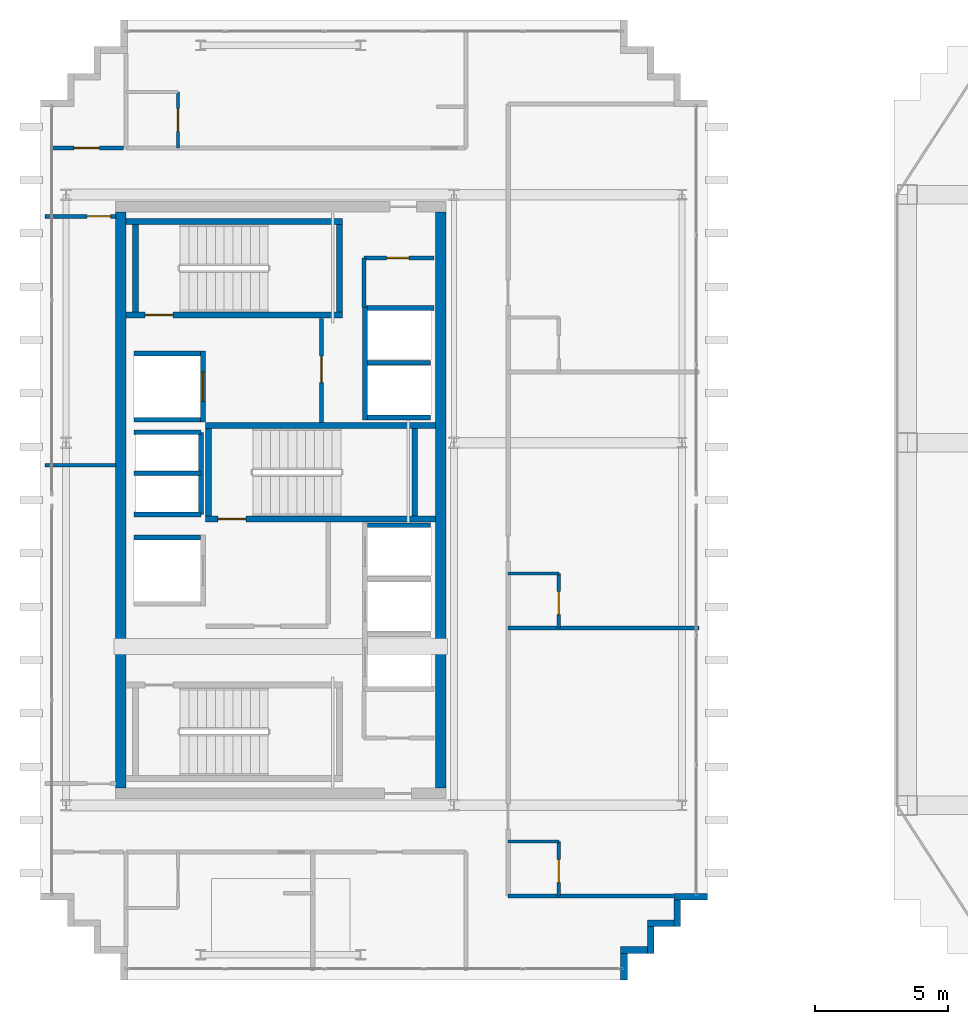
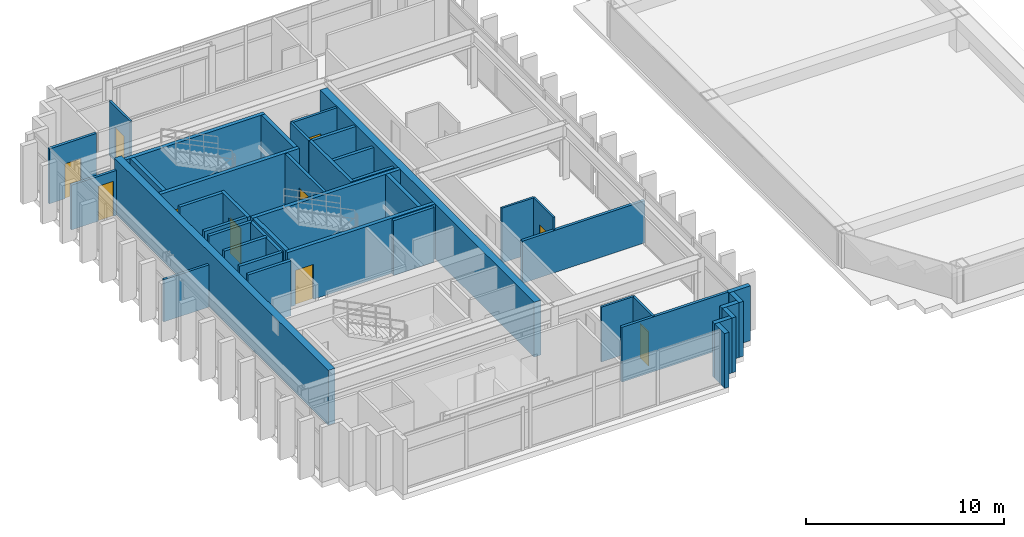
# One storey, part 15 of 17: 42 walls, 10 doors, 10 openings.
"""IFC4 building model written with IfcOpenShell, lengths in metres."""

from ifc_helpers import new_model, si_unit, direction, frame, frame_2d, origin, place, context, subcontext, project, spatial, rectangle, extrude, source, transform, mapped, material, layer, layer_set, type_object, element, fill, save


model = new_model("IFC4")

# Units and contexts
model_context = context("Model", 3, precision=1e-05, world=origin(), true_north=direction((0.0, 1.0)))
body_context = subcontext(model_context, "Body", "Model", "MODEL_VIEW")
ifc_project = project(units=[si_unit("LENGTHUNIT", "METRE"), si_unit("AREAUNIT", "SQUARE_METRE"), si_unit("VOLUMEUNIT", "CUBIC_METRE"), si_unit("PLANEANGLEUNIT", "RADIAN"), si_unit("MASSUNIT", "GRAM", prefix="KILO")], contexts=[model_context])

# Site, building, storey
site_placement = place(None, origin())
site = spatial("IfcSite", under=ifc_project, at=site_placement, CompositionType="ELEMENT")
building_placement = place(site_placement, origin())
building = spatial("IfcBuilding", under=site, at=building_placement, Name="Ocotamira Hotel", CompositionType="ELEMENT")
storey_placement = place(building_placement, frame((0.0, 0.0, 272.39990234375)))
storey = spatial("IfcBuildingStorey", under=building, at=storey_placement, Name="L69", CompositionType="ELEMENT", Elevation=272.39990234375)

# Walls
ifc_material_1 = material(Name="Concrete C50/60", Category="concrete")
ifc_layer_1 = layer(ifc_material_1, 0.39990234375)
ifc_layer_set_1 = layer_set([ifc_layer_1], Name="Concrete C50/60")
wall_type_1 = type_object("IfcWallType", Name="WL-CORE-400", PredefinedType="SHEAR", material=ifc_layer_set_1)
for number, where, z_axis, x_axis, name in (
    (1, (11.0, 15.199951171875, 0.0), (0.0, 0.0, 1.0), (0.0, 1.0, 0.0), "L69 Shear Core Wall WCORE-W"),
    (2, (23.0, 15.199951171875, 0.0), (0.0, 0.0, 1.0), (0.0, 1.0, 0.0), "L69 Shear Core Wall WCORE-E"),
):
    element("IfcWall", number, at=place(storey_placement, frame(where, z_axis=z_axis, x_axis=x_axis)), inside=storey, type_object=wall_type_1, Name=name, PredefinedType="SHEAR", context=body_context, shape_type="SweptSolid", body=[
        extrude(rectangle(XDim=21.60009765625, YDim=0.39990234375, at=frame_2d((10.800048828125, 0.0))), origin(), (0.0, 0.0, 1.0), 3.380126953125),
    ])
ifc_material_2 = material(Name="Precast concrete C45/55", Category="concrete")
ifc_layer_2 = layer(ifc_material_2, 0.25)
ifc_layer_set_2 = layer_set([ifc_layer_2], Name="Precast concrete C45/55")
wall_type_2 = type_object("IfcWallType", Name="WL-EXT-SER-250", PredefinedType="SOLIDWALL", material=ifc_layer_set_2)
for number, where, z_axis, x_axis, name in (
    (3, (29.875, 8.0, 0.0), (0.0, 0.0, 1.0), (0.0, 1.0, 0.0), "L69 Serrated Corner Wall 01"),
    (4, (29.75, 9.125, 0.0), (0.0, 0.0, 1.0), (1.0, 0.0, 0.0), "L69 Serrated Corner Wall 02"),
    (5, (30.875, 9.0, 0.0), (0.0, 0.0, 1.0), (0.0, 1.0, 0.0), "L69 Serrated Corner Wall 03"),
    (6, (30.75, 10.125, 0.0), (0.0, 0.0, 1.0), (1.0, 0.0, 0.0), "L69 Serrated Corner Wall 04"),
    (7, (31.875, 10.0, 0.0), (0.0, 0.0, 1.0), (0.0, 1.0, 0.0), "L69 Serrated Corner Wall 05"),
):
    element("IfcWall", number, at=place(storey_placement, frame(where, z_axis=z_axis, x_axis=x_axis)), inside=storey, type_object=wall_type_2, Name=name, PredefinedType="SOLIDWALL", context=body_context, shape_type="SweptSolid", body=[
        extrude(rectangle(XDim=1.0, YDim=0.25, at=frame_2d((0.5, 0.0))), origin(), (0.0, 0.0, 1.0), 3.380126953125),
    ])
wall_1_placement = place(storey_placement, frame((31.75, 11.125, 0.0), z_axis=(0.0, 0.0, 1.0), x_axis=(1.0, 0.0, 0.0)))
element("IfcWall", 8, at=wall_1_placement, inside=storey, type_object=wall_type_2, Name="L69 Serrated Corner Wall 06", PredefinedType="SOLIDWALL", context=body_context, shape_type="SweptSolid", body=[
    extrude(rectangle(XDim=1.25, YDim=0.25, at=frame_2d((0.625, 0.0))), origin(), (0.0, 0.0, 1.0), 3.380126953125),
])

# Wall, opening, door
ifc_material_3 = material(Name="Acoustic double-layer fire gypsum board partition", Category="gypsum")
ifc_layer_3 = layer(ifc_material_3, 0.159912109375)
ifc_layer_set_3 = layer_set([ifc_layer_3], Name="Acoustic double-layer fire gypsum board partition")
wall_type_3 = type_object("IfcWallType", Name="WL-FIRE-160", PredefinedType="PARTITIONING", material=ifc_layer_set_3)
wall_2_placement = place(storey_placement, frame((18.530029296875, 28.89990234375, 0.0), z_axis=(0.0, 0.0, 1.0), x_axis=(0.0, 1.0, 0.0)))
wall_2 = element("IfcWall", 9, at=wall_2_placement, inside=storey, type_object=wall_type_3, Name="L69 Interior Wall PW-L69-FSAE2-E", PredefinedType="PARTITIONING", context=body_context, shape_type="SweptSolid", body=[
    extrude(rectangle(XDim=3.900146484375, YDim=0.159912109375, at=frame_2d((1.9501953125, 0.0))), origin(), (0.0, 0.0, 1.0), 3.380126953125),
])
opening_1_placement = place(wall_2_placement, frame((1.5, 0.0, 0.0)))
opening_1 = element("IfcOpeningElement", 10, at=opening_1_placement, cuts=wall_2, Name="Opening D-FR2", PredefinedType="OPENING", context=body_context, shape_type="SweptSolid", body=[
    extrude(rectangle(XDim=1.0, YDim=2.14990234375, at=frame_2d((0.5, 1.074951171875))), frame((0.0, 0.08984375, 0.0), z_axis=(0.0, -1.0, 0.0), x_axis=(1.0, 0.0, 0.0)), (0.0, 0.0, 1.0), 0.179931640625),
])
ifc_material_4 = material(Name="Fire-rated acoustic timber-veneer door", Category="wood")
door_type_1 = type_object("IfcDoorType", Name="DR-FIRE-1000", OperationType="NOTDEFINED", PredefinedType="DOOR", material=ifc_material_4)
shared_shape_1 = source(origin(), body_context, "Body", "SweptSolid", [
    extrude(rectangle(XDim=1.0, YDim=2.14990234375, at=frame_2d((0.5, 1.074951171875))), frame((0.0, 0.02490234375, 0.0), z_axis=(0.0, -1.0, 0.0), x_axis=(1.0, 0.0, 0.0)), (0.0, 0.0, 1.0), 0.050048828125),
])
door_1_placement = place(opening_1_placement, origin())
door_1 = element("IfcDoor", 11, at=door_1_placement, inside=storey, type_object=door_type_1, Name="L69 Door ID-L69-FSAE2-D [ID-L69-FSAE2-D]", OperationType="SINGLE_SWING_RIGHT", OverallHeight=2.14990234375, OverallWidth=1.0, PredefinedType="DOOR", context=body_context, shape_type="MappedRepresentation", body=[
    mapped(shared_shape_1, transform((0.0, 0.0, 0.0), scale=1.0)),
])
fill(opening_1, door_1)

wall_3_placement = place(storey_placement, frame((8.35009765625, 39.199951171875, 0.0), z_axis=(0.0, 0.0, 1.0), x_axis=(1.0, 0.0, 0.0)))
wall_3 = element("IfcWall", 12, at=wall_3_placement, inside=storey, type_object=wall_type_3, Name="L69 Interior Wall PW-L69-WPCNW0-CW", PredefinedType="PARTITIONING", context=body_context, shape_type="SweptSolid", body=[
    extrude(rectangle(XDim=2.75, YDim=0.159912109375, at=frame_2d((1.375, 0.0))), origin(), (0.0, 0.0, 1.0), 3.380126953125),
])
opening_2_placement = place(wall_3_placement, frame((0.89501953125, 0.0, 0.0)))
opening_2 = element("IfcOpeningElement", 13, at=opening_2_placement, cuts=wall_3, Name="Opening D-SV4", PredefinedType="OPENING", context=body_context, shape_type="SweptSolid", body=[
    extrude(rectangle(XDim=0.9599609375, YDim=2.14990234375, at=frame_2d((0.47998046875, 1.074951171875))), frame((0.0, 0.08984375, 0.0), z_axis=(0.0, -1.0, 0.0), x_axis=(1.0, 0.0, 0.0)), (0.0, 0.0, 1.0), 0.179931640625),
])
ifc_material_5 = material(Name="Fire-rated accessible walnut salon door", Category="wood")
door_type_2 = type_object("IfcDoorType", Name="DR-SERV-960", OperationType="NOTDEFINED", PredefinedType="DOOR", material=ifc_material_5)
shared_shape_2 = source(origin(), body_context, "Body", "SweptSolid", [
    extrude(rectangle(XDim=0.9599609375, YDim=2.14990234375, at=frame_2d((0.47998046875, 1.074951171875))), frame((0.0, 0.02490234375, 0.0), z_axis=(0.0, -1.0, 0.0), x_axis=(1.0, 0.0, 0.0)), (0.0, 0.0, 1.0), 0.050048828125),
])
door_2_placement = place(opening_2_placement, origin())
door_2 = element("IfcDoor", 14, at=door_2_placement, inside=storey, type_object=door_type_2, Name="L69 Door ID-L69-WPCNW0-CD [ID-L69-WPCNW0-CD]", OperationType="SINGLE_SWING_LEFT", OverallHeight=2.14990234375, OverallWidth=0.9599609375, PredefinedType="DOOR", context=body_context, shape_type="MappedRepresentation", body=[
    mapped(shared_shape_2, transform((0.0, 0.0, 0.0), scale=1.0)),
])
fill(opening_2, door_2)

ifc_material_6 = material(Name="Moisture-resistant en-suite tile and gypsum partition", Category="gypsum")
ifc_layer_4 = layer(ifc_material_6, 0.1201171875)
ifc_layer_set_4 = layer_set([ifc_layer_4], Name="Moisture-resistant en-suite tile and gypsum partition")
wall_type_4 = type_object("IfcWallType", Name="WL-PART-120", PredefinedType="PARTITIONING", material=ifc_layer_set_4)
wall_4_placement = place(storey_placement, frame((13.14990234375, 39.199951171875, 0.0), z_axis=(0.0, 0.0, 1.0), x_axis=(0.0, 1.0, 0.0)))
wall_4 = element("IfcWall", 15, at=wall_4_placement, inside=storey, type_object=wall_type_4, Name="L69 Interior Wall PW-L69-WP0N-BAE1", PredefinedType="PARTITIONING", context=body_context, shape_type="SweptSolid", body=[
    extrude(rectangle(XDim=2.10009765625, YDim=0.1201171875, at=frame_2d((1.050048828125, 0.0))), origin(), (0.0, 0.0, 1.0), 3.380126953125),
])
opening_3_placement = place(wall_4_placement, frame((0.6201171875, 0.0, 0.0)))
opening_3 = element("IfcOpeningElement", 16, at=opening_3_placement, cuts=wall_4, Name="Opening D-BA1", PredefinedType="OPENING", context=body_context, shape_type="SweptSolid", body=[
    extrude(rectangle(XDim=0.860107421875, YDim=2.10009765625, at=frame_2d((0.43017578125, 1.050048828125))), frame((0.0, 0.070068359375, 0.0), z_axis=(0.0, -1.0, 0.0), x_axis=(1.0, 0.0, 0.0)), (0.0, 0.0, 1.0), 0.14013671875),
])
ifc_material_7 = material(Name="Moisture-sealed en-suite timber door", Category="wood")
door_type_3 = type_object("IfcDoorType", Name="DR-BATH-860", OperationType="NOTDEFINED", PredefinedType="DOOR", material=ifc_material_7)
shared_shape_3 = source(origin(), body_context, "Body", "SweptSolid", [
    extrude(rectangle(XDim=0.860107421875, YDim=2.10009765625, at=frame_2d((0.43017578125, 1.050048828125))), frame((0.0, 0.02490234375, 0.0), z_axis=(0.0, -1.0, 0.0), x_axis=(1.0, 0.0, 0.0)), (0.0, 0.0, 1.0), 0.050048828125),
])
door_3_placement = place(opening_3_placement, origin())
door_3 = element("IfcDoor", 17, at=door_3_placement, inside=storey, type_object=door_type_3, Name="L69 Door ID-L69-WP0N-BAD1 [ID-L69-WP0N-BAD1]", OperationType="SINGLE_SWING_RIGHT", OverallHeight=2.10009765625, OverallWidth=0.860107421875, PredefinedType="DOOR", context=body_context, shape_type="MappedRepresentation", body=[
    mapped(shared_shape_3, transform((0.0, 0.0, 0.0), scale=1.0)),
])
fill(opening_3, door_3)

wall_5_placement = place(storey_placement, frame((27.429931640625, 11.14990234375, 0.0), z_axis=(0.0, 0.0, 1.0), x_axis=(0.0, 1.0, 0.0)))
wall_5 = element("IfcWall", 18, at=wall_5_placement, inside=storey, type_object=wall_type_4, Name="L69 Interior Wall PW-L69-WP-EBE1", PredefinedType="PARTITIONING", context=body_context, shape_type="SweptSolid", body=[
    extrude(rectangle(XDim=2.0400390625, YDim=0.1201171875, at=frame_2d((1.02001953125, 0.0))), origin(), (0.0, 0.0, 1.0), 3.380126953125),
])
opening_4_placement = place(wall_5_placement, frame((0.5, 0.0, 0.0)))
opening_4 = element("IfcOpeningElement", 19, at=opening_4_placement, cuts=wall_5, Name="Opening D-BA1", PredefinedType="OPENING", context=body_context, shape_type="SweptSolid", body=[
    extrude(rectangle(XDim=0.860107421875, YDim=2.10009765625, at=frame_2d((0.43017578125, 1.050048828125))), frame((0.0, 0.070068359375, 0.0), z_axis=(0.0, -1.0, 0.0), x_axis=(1.0, 0.0, 0.0)), (0.0, 0.0, 1.0), 0.14013671875),
])
door_4_placement = place(opening_4_placement, origin())
door_4 = element("IfcDoor", 20, at=door_4_placement, inside=storey, type_object=door_type_3, Name="L69 Door ID-L69-WP-EBD1 [ID-L69-WP-EBD1]", OperationType="SINGLE_SWING_LEFT", OverallHeight=2.10009765625, OverallWidth=0.860107421875, PredefinedType="DOOR", context=body_context, shape_type="MappedRepresentation", body=[
    mapped(shared_shape_3, transform((0.0, 0.0, 0.0), scale=1.0)),
])
fill(opening_4, door_4)

# Wall
wall_6_placement = place(storey_placement, frame((25.530029296875, 13.18994140625, 0.0), z_axis=(0.0, 0.0, 1.0), x_axis=(1.0, 0.0, 0.0)))
element("IfcWall", 21, at=wall_6_placement, inside=storey, type_object=wall_type_4, Name="L69 Interior Wall PW-L69-WP-EBN1", PredefinedType="PARTITIONING", context=body_context, shape_type="SweptSolid", body=[
    extrude(rectangle(XDim=1.89990234375, YDim=0.1201171875, at=frame_2d((0.949951171875, 0.0))), origin(), (0.0, 0.0, 1.0), 3.380126953125),
])

# Wall, opening, door
wall_7_placement = place(storey_placement, frame((27.429931640625, 21.199951171875, 0.0), z_axis=(0.0, 0.0, 1.0), x_axis=(0.0, 1.0, 0.0)))
wall_7 = element("IfcWall", 22, at=wall_7_placement, inside=storey, type_object=wall_type_4, Name="L69 Interior Wall PW-L69-WP-EBE2", PredefinedType="PARTITIONING", context=body_context, shape_type="SweptSolid", body=[
    extrude(rectangle(XDim=2.0400390625, YDim=0.1201171875, at=frame_2d((1.02001953125, 0.0))), origin(), (0.0, 0.0, 1.0), 3.380126953125),
])
opening_5_placement = place(wall_7_placement, frame((0.5, 0.0, 0.0)))
opening_5 = element("IfcOpeningElement", 23, at=opening_5_placement, cuts=wall_7, Name="Opening D-BA1", PredefinedType="OPENING", context=body_context, shape_type="SweptSolid", body=[
    extrude(rectangle(XDim=0.860107421875, YDim=2.10009765625, at=frame_2d((0.43017578125, 1.050048828125))), frame((0.0, 0.070068359375, 0.0), z_axis=(0.0, -1.0, 0.0), x_axis=(1.0, 0.0, 0.0)), (0.0, 0.0, 1.0), 0.14013671875),
])
door_5_placement = place(opening_5_placement, origin())
door_5 = element("IfcDoor", 24, at=door_5_placement, inside=storey, type_object=door_type_3, Name="L69 Door ID-L69-WP-EBD2 [ID-L69-WP-EBD2]", OperationType="SINGLE_SWING_LEFT", OverallHeight=2.10009765625, OverallWidth=0.860107421875, PredefinedType="DOOR", context=body_context, shape_type="MappedRepresentation", body=[
    mapped(shared_shape_3, transform((0.0, 0.0, 0.0), scale=1.0)),
])
fill(opening_5, door_5)

# Walls
wall_8_placement = place(storey_placement, frame((25.530029296875, 23.239990234375, 0.0), z_axis=(0.0, 0.0, 1.0), x_axis=(1.0, 0.0, 0.0)))
element("IfcWall", 25, at=wall_8_placement, inside=storey, type_object=wall_type_4, Name="L69 Interior Wall PW-L69-WP-EBN2", PredefinedType="PARTITIONING", context=body_context, shape_type="SweptSolid", body=[
    extrude(rectangle(XDim=1.89990234375, YDim=0.1201171875, at=frame_2d((0.949951171875, 0.0))), origin(), (0.0, 0.0, 1.0), 3.380126953125),
])
ifc_material_8 = material(Name="Acoustic hospitality gypsum board partition", Category="gypsum")
ifc_layer_5 = layer(ifc_material_8, 0.14208984375)
ifc_layer_set_5 = layer_set([ifc_layer_5], Name="Acoustic hospitality gypsum board partition")
wall_type_5 = type_object("IfcWallType", Name="WL-PART-142", PredefinedType="PARTITIONING", material=ifc_layer_set_5)
wall_9_placement = place(storey_placement, frame((20.1201171875, 33.219970703125, 0.0), z_axis=(0.0, 0.0, 1.0), x_axis=(0.0, 1.0, 0.0)))
element("IfcWall", 26, at=wall_9_placement, inside=storey, type_object=wall_type_5, Name="L69 Interior Wall PW-L69-WC-NE-W2", PredefinedType="PARTITIONING", context=body_context, shape_type="SweptSolid", body=[
    extrude(rectangle(XDim=1.860107421875, YDim=0.14208984375, at=frame_2d((0.93017578125, 0.0))), origin(), (0.0, 0.0, 1.0), 3.380126953125),
])

# Wall, opening, door
wall_10_placement = place(storey_placement, frame((20.1201171875, 35.080078125, 0.0), z_axis=(0.0, 0.0, 1.0), x_axis=(1.0, 0.0, 0.0)))
wall_10 = element("IfcWall", 27, at=wall_10_placement, inside=storey, type_object=wall_type_5, Name="L69 Interior Wall PW-L69-WC-NE-N2", PredefinedType="PARTITIONING", context=body_context, shape_type="SweptSolid", body=[
    extrude(rectangle(XDim=2.6298828125, YDim=0.14208984375, at=frame_2d((1.31494140625, 0.0))), origin(), (0.0, 0.0, 1.0), 3.380126953125),
])
opening_6_placement = place(wall_10_placement, frame((0.85009765625, 0.0, 0.0)))
opening_6 = element("IfcOpeningElement", 28, at=opening_6_placement, cuts=wall_10, Name="Opening D-SV1", PredefinedType="OPENING", context=body_context, shape_type="SweptSolid", body=[
    extrude(rectangle(XDim=0.840087890625, YDim=2.10009765625, at=frame_2d((0.419921875, 1.050048828125))), frame((0.0, 0.0810546875, 0.0), z_axis=(0.0, -1.0, 0.0), x_axis=(1.0, 0.0, 0.0)), (0.0, 0.0, 1.0), 0.162109375),
])
ifc_material_9 = material(Name="Fire-rated painted steel service door", Category="steel")
door_type_4 = type_object("IfcDoorType", Name="DR-SERV-840", OperationType="NOTDEFINED", PredefinedType="DOOR", material=ifc_material_9)
shared_shape_4 = source(origin(), body_context, "Body", "SweptSolid", [
    extrude(rectangle(XDim=0.840087890625, YDim=2.10009765625, at=frame_2d((0.419921875, 1.050048828125))), frame((0.0, 0.02490234375, 0.0), z_axis=(0.0, -1.0, 0.0), x_axis=(1.0, 0.0, 0.0)), (0.0, 0.0, 1.0), 0.050048828125),
])
door_6_placement = place(opening_6_placement, origin())
door_6 = element("IfcDoor", 29, at=door_6_placement, inside=storey, type_object=door_type_4, Name="L69 Door ID-L69-WC-NE-D2 [ID-L69-WC-NE-D2]", OperationType="SINGLE_SWING_RIGHT", OverallHeight=2.10009765625, OverallWidth=0.840087890625, PredefinedType="DOOR", context=body_context, shape_type="MappedRepresentation", body=[
    mapped(shared_shape_4, transform((0.0, 0.0, 0.0), scale=1.0)),
])
fill(opening_6, door_6)

# Wall
wall_11_placement = place(storey_placement, frame((8.159912109375, 27.300048828125, 0.0), z_axis=(0.0, 0.0, 1.0), x_axis=(1.0, 0.0, 0.0)))
element("IfcWall", 30, at=wall_11_placement, inside=storey, type_object=wall_type_5, Name="L69 Interior Wall PW-L69-WP0W-DV1", PredefinedType="PARTITIONING", context=body_context, shape_type="SweptSolid", body=[
    extrude(rectangle(XDim=2.66015625, YDim=0.14208984375, at=frame_2d((1.330078125, 0.0))), origin(), (0.0, 0.0, 1.0), 2.60107421875),
])

# Wall, opening, door
ifc_layer_6 = layer(ifc_material_8, 0.14990234375)
ifc_layer_set_6 = layer_set([ifc_layer_6], Name="Acoustic hospitality gypsum board partition")
wall_type_6 = type_object("IfcWallType", Name="WL-PART-150", PredefinedType="PARTITIONING", material=ifc_layer_set_6)
wall_12_placement = place(storey_placement, frame((8.159912109375, 36.639892578125, 0.0), z_axis=(0.0, 0.0, 1.0), x_axis=(1.0, 0.0, 0.0)))
wall_12 = element("IfcWall", 31, at=wall_12_placement, inside=storey, type_object=wall_type_6, Name="L69 Interior Wall PW-L69-WP0W-WN", PredefinedType="PARTITIONING", context=body_context, shape_type="SweptSolid", body=[
    extrude(rectangle(XDim=2.66015625, YDim=0.14990234375, at=frame_2d((1.330078125, 0.0))), origin(), (0.0, 0.0, 1.0), 2.76318359375),
])
opening_7_placement = place(wall_12_placement, frame((1.580078125, 0.0, 0.0)))
opening_7 = element("IfcOpeningElement", 32, at=opening_7_placement, cuts=wall_12, Name="Opening D-SV2", PredefinedType="OPENING", context=body_context, shape_type="SweptSolid", body=[
    extrude(rectangle(XDim=0.8798828125, YDim=2.14990234375, at=frame_2d((0.43994140625, 1.074951171875))), frame((0.0, 0.0849609375, 0.0), z_axis=(0.0, -1.0, 0.0), x_axis=(1.0, 0.0, 0.0)), (0.0, 0.0, 1.0), 0.169921875),
])
door_type_5 = type_object("IfcDoorType", Name="DR-SERV-880", OperationType="NOTDEFINED", PredefinedType="DOOR", material=ifc_material_9)
shared_shape_5 = source(origin(), body_context, "Body", "SweptSolid", [
    extrude(rectangle(XDim=0.8798828125, YDim=2.14990234375, at=frame_2d((0.43994140625, 1.074951171875))), frame((0.0, 0.02490234375, 0.0), z_axis=(0.0, -1.0, 0.0), x_axis=(1.0, 0.0, 0.0)), (0.0, 0.0, 1.0), 0.050048828125),
])
door_7_placement = place(opening_7_placement, origin())
door_7 = element("IfcDoor", 33, at=door_7_placement, inside=storey, type_object=door_type_5, Name="L69 Door ID-L69-WP0W-DN [ID-L69-WP0W-DN]", OperationType="SINGLE_SWING_RIGHT", OverallHeight=2.14990234375, OverallWidth=0.8798828125, PredefinedType="DOOR", context=body_context, shape_type="MappedRepresentation", body=[
    mapped(shared_shape_5, transform((0.0, 0.0, 0.0), scale=1.0)),
])
fill(opening_7, door_7)

# Walls
ifc_material_10 = material(Name="Acoustic double-stud hospitality gypsum partition", Category="gypsum")
ifc_layer_7 = layer(ifc_material_10, 0.159912109375)
ifc_layer_set_7 = layer_set([ifc_layer_7], Name="Acoustic double-stud hospitality gypsum partition")
wall_type_7 = type_object("IfcWallType", Name="WL-PART-160", PredefinedType="PARTITIONING", material=ifc_layer_set_7)
wall_13_placement = place(storey_placement, frame((25.530029296875, 11.14990234375, 0.0), z_axis=(0.0, 0.0, 1.0), x_axis=(1.0, 0.0, 0.0)))
element("IfcWall", 34, at=wall_13_placement, inside=storey, type_object=wall_type_7, Name="L69 Interior Wall PW-L69-WP-EDIV0", PredefinedType="PARTITIONING", context=body_context, shape_type="SweptSolid", body=[
    extrude(rectangle(XDim=6.2099609375, YDim=0.159912109375, at=frame_2d((3.10498046875, 0.0))), origin(), (0.0, 0.0, 1.0), 3.380126953125),
])
wall_14_placement = place(storey_placement, frame((25.530029296875, 21.199951171875, 0.0), z_axis=(0.0, 0.0, 1.0), x_axis=(1.0, 0.0, 0.0)))
element("IfcWall", 35, at=wall_14_placement, inside=storey, type_object=wall_type_7, Name="L69 Interior Wall PW-L69-WP-EDIV1", PredefinedType="PARTITIONING", context=body_context, shape_type="SweptSolid", body=[
    extrude(rectangle(XDim=7.14990234375, YDim=0.159912109375, at=frame_2d((3.574951171875, 0.0))), origin(), (0.0, 0.0, 1.0), 2.60107421875),
])
ifc_material_11 = material(Name="Fire-rated gypsum shaftliner board assembly", Category="gypsum")
ifc_layer_8 = layer(ifc_material_11, 0.179931640625)
ifc_layer_set_8 = layer_set([ifc_layer_8], Name="Fire-rated gypsum shaftliner board assembly")
wall_type_8 = type_object("IfcWallType", Name="WL-SHAFT-180", PredefinedType="SOLIDWALL", material=ifc_layer_set_8)
wall_15_placement = place(storey_placement, frame((20.25, 25.050048828125, 0.0), z_axis=(0.0, 0.0, 1.0), x_axis=(1.0, 0.0, 0.0)))
element("IfcWall", 36, at=wall_15_placement, inside=storey, type_object=wall_type_8, Name="L69 Interior Wall PW-L69-LFW-BANK-high-N", PredefinedType="SOLIDWALL", context=body_context, shape_type="SweptSolid", body=[
    extrude(rectangle(XDim=2.360107421875, YDim=0.179931640625, at=frame_2d((1.18017578125, 0.0))), origin(), (0.0, 0.0, 1.0), 3.380126953125),
])
wall_16_placement = place(storey_placement, frame((20.159912109375, 29.0, 0.0), z_axis=(0.0, 0.0, 1.0), x_axis=(0.0, 1.0, 0.0)))
element("IfcWall", 37, at=wall_16_placement, inside=storey, type_object=wall_type_8, Name="L69 Interior Wall PW-L69-LFW-BANK-obs-F", PredefinedType="SOLIDWALL", context=body_context, shape_type="SweptSolid", body=[
    extrude(rectangle(XDim=4.2900390625, YDim=0.179931640625, at=frame_2d((2.14501953125, 0.0))), origin(), (0.0, 0.0, 1.0), 3.380126953125),
])
wall_17_placement = place(storey_placement, frame((20.25, 29.090087890625, 0.0), z_axis=(0.0, 0.0, 1.0), x_axis=(1.0, 0.0, 0.0)))
element("IfcWall", 38, at=wall_17_placement, inside=storey, type_object=wall_type_8, Name="L69 Interior Wall PW-L69-LFW-BANK-obs-S", PredefinedType="SOLIDWALL", context=body_context, shape_type="SweptSolid", body=[
    extrude(rectangle(XDim=2.360107421875, YDim=0.179931640625, at=frame_2d((1.18017578125, 0.0))), origin(), (0.0, 0.0, 1.0), 3.380126953125),
])
wall_18_placement = place(storey_placement, frame((20.25, 33.199951171875, 0.0), z_axis=(0.0, 0.0, 1.0), x_axis=(1.0, 0.0, 0.0)))
element("IfcWall", 39, at=wall_18_placement, inside=storey, type_object=wall_type_8, Name="L69 Interior Wall PW-L69-LFW-BANK-obs-N", PredefinedType="SOLIDWALL", context=body_context, shape_type="SweptSolid", body=[
    extrude(rectangle(XDim=2.5, YDim=0.179931640625, at=frame_2d((1.25, 0.0))), origin(), (0.0, 0.0, 1.0), 3.380126953125),
])
wall_19_placement = place(storey_placement, frame((20.25, 31.14501953125, 0.0), z_axis=(0.0, 0.0, 1.0), x_axis=(1.0, 0.0, 0.0)))
element("IfcWall", 40, at=wall_19_placement, inside=storey, type_object=wall_type_8, Name="L69 Interior Wall PW-L69-LFW-DIV-LF-OBS1", PredefinedType="SOLIDWALL", context=body_context, shape_type="SweptSolid", body=[
    extrude(rectangle(XDim=2.360107421875, YDim=0.179931640625, at=frame_2d((1.18017578125, 0.0))), origin(), (0.0, 0.0, 1.0), 3.380126953125),
])
for number, where, z_axis, x_axis, name in (
    (41, (11.5, 24.590087890625, 0.0), (0.0, 0.0, 1.0), (1.0, 0.0, 0.0), "L69 Interior Wall PW-L69-LFW-LF-FSAE1-N"),
    (42, (11.5, 29.010009765625, 0.0), (0.0, 0.0, 1.0), (1.0, 0.0, 0.0), "L69 Interior Wall PW-L69-LFW-LF-FSAE2-S"),
    (43, (11.5, 31.489990234375, 0.0), (0.0, 0.0, 1.0), (1.0, 0.0, 0.0), "L69 Interior Wall PW-L69-LFW-LF-FSAE2-N"),
):
    element("IfcWall", number, at=place(storey_placement, frame(where, z_axis=z_axis, x_axis=x_axis)), inside=storey, type_object=wall_type_8, Name=name, PredefinedType="SOLIDWALL", context=body_context, shape_type="SweptSolid", body=[
        extrude(rectangle(XDim=2.5, YDim=0.179931640625, at=frame_2d((1.25, 0.0))), origin(), (0.0, 0.0, 1.0), 3.380126953125),
    ])

# Wall, opening, door
wall_20_placement = place(storey_placement, frame((14.090087890625, 28.919921875, 0.0), z_axis=(0.0, 0.0, 1.0), x_axis=(0.0, 1.0, 0.0)))
wall_20 = element("IfcWall", 44, at=wall_20_placement, inside=storey, type_object=wall_type_8, Name="L69 Interior Wall PW-L69-LFW-LF-FSAE2-E", PredefinedType="SOLIDWALL", context=body_context, shape_type="SweptSolid", body=[
    extrude(rectangle(XDim=2.66015625, YDim=0.179931640625, at=frame_2d((1.330078125, 0.0))), origin(), (0.0, 0.0, 1.0), 3.380126953125),
])
opening_8_placement = place(wall_20_placement, frame((0.780029296875, 0.0, 0.0)))
opening_8 = element("IfcOpeningElement", 45, at=opening_8_placement, cuts=wall_20, Name="Opening LD-LF-FSAE2", PredefinedType="OPENING", context=body_context, shape_type="SweptSolid", body=[
    extrude(rectangle(XDim=1.10009765625, YDim=2.199951171875, at=frame_2d((0.550048828125, 1.10009765625))), frame((0.0, 0.10009765625, 0.0), z_axis=(0.0, -1.0, 0.0), x_axis=(1.0, 0.0, 0.0)), (0.0, 0.0, 1.0), 0.199951171875),
])
ifc_material_12 = material(Name="Brushed pale-metal stainless elevator landing door", Category="steel")
door_type_6 = type_object("IfcDoorType", Name="DR-LIFT-1100", OperationType="NOTDEFINED", PredefinedType="DOOR", material=ifc_material_12)
shared_shape_6 = source(origin(), body_context, "Body", "SweptSolid", [
    extrude(rectangle(XDim=1.10009765625, YDim=2.199951171875, at=frame_2d((0.550048828125, 1.10009765625))), frame((0.0, 0.02490234375, 0.0), z_axis=(0.0, -1.0, 0.0), x_axis=(1.0, 0.0, 0.0)), (0.0, 0.0, 1.0), 0.050048828125),
])
door_8_placement = place(opening_8_placement, origin())
door_8 = element("IfcDoor", 46, at=door_8_placement, inside=storey, type_object=door_type_6, Name="L69 Landing Door LD-LF-FSAE2 [ID-L69-LD-LF-FSAE2]", OperationType="DOUBLE_DOOR_SLIDING", OverallHeight=2.199951171875, OverallWidth=1.10009765625, PredefinedType="DOOR", context=body_context, shape_type="MappedRepresentation", body=[
    mapped(shared_shape_6, transform((0.0, 0.0, 0.0), scale=1.0)),
])
fill(opening_8, door_8)

# Walls
for number, where, z_axis, x_axis, name in (
    (47, (11.5, 25.4599609375, 0.0), (0.0, 0.0, 1.0), (1.0, 0.0, 0.0), "L69 Interior Wall PW-L69-RSW-S"),
    (48, (11.5, 27.0, 0.0), (0.0, 0.0, 1.0), (1.0, 0.0, 0.0), "L69 Interior Wall PW-L69-RSW-MID"),
    (49, (11.5, 28.5400390625, 0.0), (0.0, 0.0, 1.0), (1.0, 0.0, 0.0), "L69 Interior Wall PW-L69-RSW-N"),
):
    element("IfcWall", number, at=place(storey_placement, frame(where, z_axis=z_axis, x_axis=x_axis)), inside=storey, type_object=wall_type_8, Name=name, PredefinedType="SOLIDWALL", context=body_context, shape_type="SweptSolid", body=[
        extrude(rectangle(XDim=2.510009765625, YDim=0.179931640625, at=frame_2d((1.2548828125, 0.0))), origin(), (0.0, 0.0, 1.0), 3.380126953125),
    ])
wall_21_placement = place(storey_placement, frame((14.010009765625, 25.4599609375, 0.0), z_axis=(0.0, 0.0, 1.0), x_axis=(0.0, 1.0, 0.0)))
element("IfcWall", 50, at=wall_21_placement, inside=storey, type_object=wall_type_8, Name="L69 Interior Wall PW-L69-RSW-E", PredefinedType="SOLIDWALL", context=body_context, shape_type="SweptSolid", body=[
    extrude(rectangle(XDim=3.080078125, YDim=0.179931640625, at=frame_2d((1.5400390625, 0.0))), origin(), (0.0, 0.0, 1.0), 3.380126953125),
])

# Wall, opening, door
ifc_layer_9 = layer(ifc_material_1, 0.219970703125)
ifc_layer_set_9 = layer_set([ifc_layer_9], Name="Concrete C50/60")
wall_type_9 = type_object("IfcWallType", Name="WL-STAIR-220", PredefinedType="SHEAR", material=ifc_layer_set_9)
wall_22_placement = place(storey_placement, frame((11.199951171875, 32.93994140625, 0.0), z_axis=(0.0, 0.0, 1.0), x_axis=(1.0, 0.0, 0.0)))
wall_22 = element("IfcWall", 51, at=wall_22_placement, inside=storey, type_object=wall_type_9, Name="L69 Stair Shaft Structural Wall ST-2-S", PredefinedType="SHEAR", context=body_context, shape_type="SweptSolid", body=[
    extrude(rectangle(XDim=8.110107421875, YDim=0.219970703125, at=frame_2d((4.05517578125, 0.0))), origin(), (0.0, 0.0, 1.0), 3.400146484375),
])
opening_9_placement = place(wall_22_placement, frame((0.719970703125, 0.0, 0.0)))
opening_9 = element("IfcOpeningElement", 52, at=opening_9_placement, cuts=wall_22, Name="Opening D-ST2", PredefinedType="OPENING", context=body_context, shape_type="SweptSolid", body=[
    extrude(rectangle(XDim=1.050048828125, YDim=2.14990234375, at=frame_2d((0.52490234375, 1.074951171875))), frame((0.0, 0.1201171875, 0.0), z_axis=(0.0, -1.0, 0.0), x_axis=(1.0, 0.0, 0.0)), (0.0, 0.0, 1.0), 0.239990234375),
])
ifc_material_13 = material(Name="Insulated painted hollow-metal fire exit door", Category="steel")
door_type_7 = type_object("IfcDoorType", Name="DR-STAIR-1050", OperationType="NOTDEFINED", PredefinedType="DOOR", material=ifc_material_13)
shared_shape_7 = source(origin(), body_context, "Body", "SweptSolid", [
    extrude(rectangle(XDim=1.050048828125, YDim=2.14990234375, at=frame_2d((0.52490234375, 1.074951171875))), frame((0.0, 0.02490234375, 0.0), z_axis=(0.0, -1.0, 0.0), x_axis=(1.0, 0.0, 0.0)), (0.0, 0.0, 1.0), 0.050048828125),
])
door_9_placement = place(opening_9_placement, origin())
door_9 = element("IfcDoor", 53, at=door_9_placement, inside=storey, type_object=door_type_7, Name="L69 Door ID-L69-STD-ST-2 [ID-L69-STD-ST-2]", OperationType="SINGLE_SWING_LEFT", OverallHeight=2.14990234375, OverallWidth=1.050048828125, PredefinedType="DOOR", context=body_context, shape_type="MappedRepresentation", body=[
    mapped(shared_shape_7, transform((0.0, 0.0, 0.0), scale=1.0)),
])
fill(opening_9, door_9)

# Walls
wall_23_placement = place(storey_placement, frame((11.199951171875, 36.43994140625, 0.0), z_axis=(0.0, 0.0, 1.0), x_axis=(1.0, 0.0, 0.0)))
element("IfcWall", 54, at=wall_23_placement, inside=storey, type_object=wall_type_9, Name="L69 Stair Shaft Structural Wall ST-2-N", PredefinedType="SHEAR", context=body_context, shape_type="SweptSolid", body=[
    extrude(rectangle(XDim=8.110107421875, YDim=0.219970703125, at=frame_2d((4.05517578125, 0.0))), origin(), (0.0, 0.0, 1.0), 3.400146484375),
])
for number, where, z_axis, x_axis, name in (
    (55, (11.56005859375, 33.050048828125, 0.0), (0.0, 0.0, 1.0), (0.0, 1.0, 0.0), "L69 Stair Shaft Structural Wall ST-2-W"),
    (56, (19.199951171875, 33.050048828125, 0.0), (0.0, 0.0, 1.0), (0.0, 1.0, 0.0), "L69 Stair Shaft Structural Wall ST-2-E"),
):
    element("IfcWall", number, at=place(storey_placement, frame(where, z_axis=z_axis, x_axis=x_axis)), inside=storey, type_object=wall_type_9, Name=name, PredefinedType="SHEAR", context=body_context, shape_type="SweptSolid", body=[
        extrude(rectangle(XDim=3.280029296875, YDim=0.219970703125, at=frame_2d((1.64013671875, 0.0))), origin(), (0.0, 0.0, 1.0), 3.400146484375),
    ])

# Wall, opening, door
wall_24_placement = place(storey_placement, frame((14.179931640625, 25.2900390625, 0.0), z_axis=(0.0, 0.0, 1.0), x_axis=(1.0, 0.0, 0.0)))
wall_24 = element("IfcWall", 57, at=wall_24_placement, inside=storey, type_object=wall_type_9, Name="L69 Stair Shaft Structural Wall ST-3-S", PredefinedType="SHEAR", context=body_context, shape_type="SweptSolid", body=[
    extrude(rectangle(XDim=8.6201171875, YDim=0.219970703125, at=frame_2d((4.31005859375, 0.0))), origin(), (0.0, 0.0, 1.0), 3.400146484375),
])
opening_10_placement = place(wall_24_placement, frame((0.469970703125, 0.0, 0.0)))
opening_10 = element("IfcOpeningElement", 58, at=opening_10_placement, cuts=wall_24, Name="Opening D-ST2", PredefinedType="OPENING", context=body_context, shape_type="SweptSolid", body=[
    extrude(rectangle(XDim=1.050048828125, YDim=2.14990234375, at=frame_2d((0.52490234375, 1.074951171875))), frame((0.0, 0.1201171875, 0.0), z_axis=(0.0, -1.0, 0.0), x_axis=(1.0, 0.0, 0.0)), (0.0, 0.0, 1.0), 0.239990234375),
])
door_10_placement = place(opening_10_placement, origin())
door_10 = element("IfcDoor", 59, at=door_10_placement, inside=storey, type_object=door_type_7, Name="L69 Door ID-L69-STD-ST-3 [ID-L69-STD-ST-3]", OperationType="SINGLE_SWING_RIGHT", OverallHeight=2.14990234375, OverallWidth=1.050048828125, PredefinedType="DOOR", context=body_context, shape_type="MappedRepresentation", body=[
    mapped(shared_shape_7, transform((0.0, 0.0, 0.0), scale=1.0)),
])
fill(opening_10, door_10)

# Walls
wall_25_placement = place(storey_placement, frame((14.179931640625, 28.7900390625, 0.0), z_axis=(0.0, 0.0, 1.0), x_axis=(1.0, 0.0, 0.0)))
element("IfcWall", 60, at=wall_25_placement, inside=storey, type_object=wall_type_9, Name="L69 Stair Shaft Structural Wall ST-3-N", PredefinedType="SHEAR", context=body_context, shape_type="SweptSolid", body=[
    extrude(rectangle(XDim=8.6201171875, YDim=0.219970703125, at=frame_2d((4.31005859375, 0.0))), origin(), (0.0, 0.0, 1.0), 3.400146484375),
])
for number, where, z_axis, x_axis, name in (
    (61, (14.2900390625, 25.39990234375, 0.0), (0.0, 0.0, 1.0), (0.0, 1.0, 0.0), "L69 Stair Shaft Structural Wall ST-3-W"),
    (62, (22.030029296875, 25.39990234375, 0.0), (0.0, 0.0, 1.0), (0.0, 1.0, 0.0), "L69 Stair Shaft Structural Wall ST-3-E"),
):
    element("IfcWall", number, at=place(storey_placement, frame(where, z_axis=z_axis, x_axis=x_axis)), inside=storey, type_object=wall_type_9, Name=name, PredefinedType="SHEAR", context=body_context, shape_type="SweptSolid", body=[
        extrude(rectangle(XDim=3.280029296875, YDim=0.219970703125, at=frame_2d((1.64013671875, 0.0))), origin(), (0.0, 0.0, 1.0), 3.400146484375),
    ])

save(model, "model.ifc")
